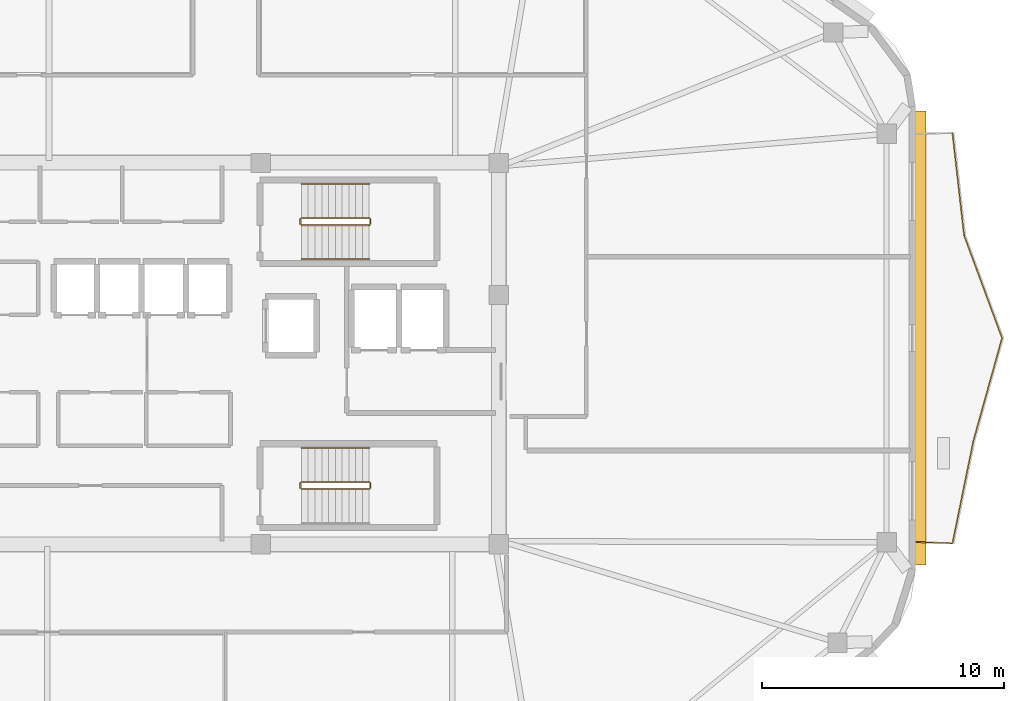
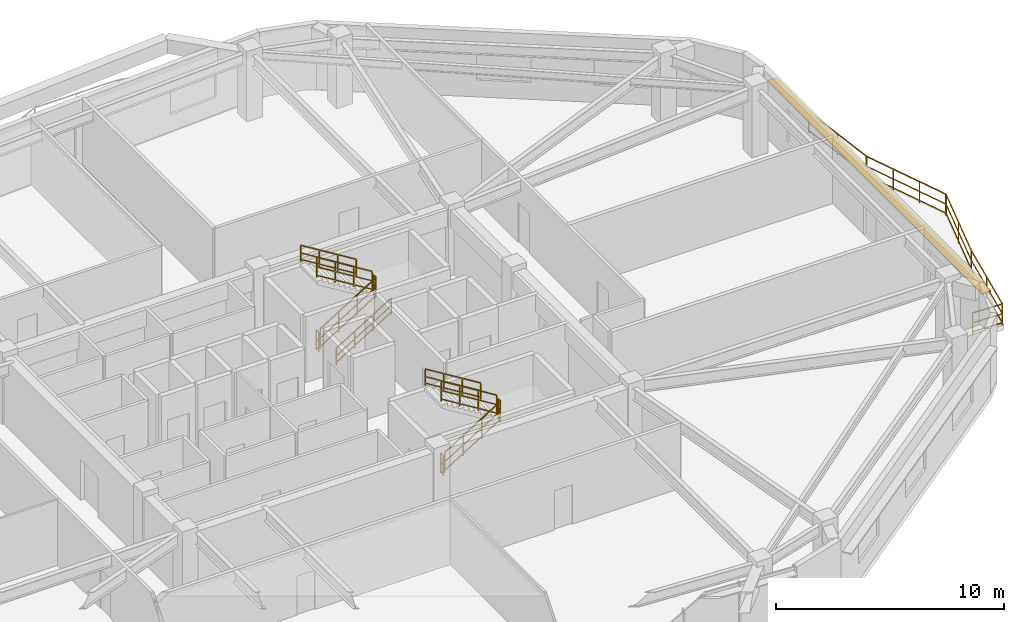
# One storey, part 11 of 12: 16 railings, 1 shading device.
"""IFC4 building model written with IfcOpenShell, lengths in metres."""

from ifc_helpers import new_model, si_unit, direction, frame, origin, origin_2d, place, context, subcontext, project, spatial, rectangle, extrude, material, layer, layer_set, type_object, element, save


model = new_model("IFC4")

# Units and contexts
model_context = context("Model", 3, precision=1e-05, world=origin(), true_north=direction((0.0, 1.0)))
body_context = subcontext(model_context, "Body", "Model", "MODEL_VIEW")
ifc_project = project(units=[si_unit("LENGTHUNIT", "METRE"), si_unit("AREAUNIT", "SQUARE_METRE"), si_unit("VOLUMEUNIT", "CUBIC_METRE"), si_unit("PLANEANGLEUNIT", "RADIAN"), si_unit("MASSUNIT", "GRAM", prefix="KILO")], contexts=[model_context])

# Site, building, storey
site_placement = place(None, origin())
site = spatial("IfcSite", under=ifc_project, at=site_placement, CompositionType="ELEMENT")
building_placement = place(site_placement, origin())
building = spatial("IfcBuilding", under=site, at=building_placement, Name="Zulverin Broadcast Headquarters", CompositionType="ELEMENT")
storey_placement = place(building_placement, frame((0.0, 0.0, 232.60009765625)))
storey = spatial("IfcBuildingStorey", under=building, at=storey_placement, Name="L59", CompositionType="ELEMENT", Elevation=232.60009765625)

# Railings
ifc_material_1 = material(Name="Brushed stainless steel & laminated glass balustrade", Category="steel")
railing_type_1 = type_object("IfcRailingType", Name="RL-GUARD-1150", PredefinedType="GUARDRAIL", material=ifc_material_1)
railing_1_placement = place(storey_placement, frame((65.5400390625, 17.417724609375, 0.0)))
element("IfcRailing", 1, at=railing_1_placement, inside=storey, type_object=railing_type_1, Name="L59 Vertical-Forest Balcony Guardrail BAL_E Segment 01", PredefinedType="GUARDRAIL", context=body_context, shape_type="SweptSolid", body=[
    extrude(rectangle(XDim=0.048095703125, YDim=0.048095703125, at=origin_2d()), frame((0.0, 0.0, 1.1259765625), z_axis=(0.99918088253, -0.040466825742, 0.0), x_axis=(0.040466825742, 0.99918088253, 0.0)), (0.0, 0.0, 1.0), 1.466064453125),
    extrude(rectangle(XDim=0.0419921875, YDim=0.0419921875, at=origin_2d()), frame((0.0, 0.0, 0.597900390625), z_axis=(0.99918088253, -0.040466825742, 0.0), x_axis=(0.040466825742, 0.99918088253, 0.0)), (0.0, 0.0, 1.0), 1.466064453125),
    extrude(rectangle(XDim=0.0419921875, YDim=0.0419921875, at=origin_2d()), frame((0.0, 0.0, 0.1201171875), z_axis=(0.99918088253, -0.040466825742, 0.0), x_axis=(0.040466825742, 0.99918088253, 0.0)), (0.0, 0.0, 1.0), 1.466064453125),
    extrude(rectangle(XDim=0.0419921875, YDim=0.0419921875, at=origin_2d()), origin(), (0.0, 0.0, 1.0), 1.101806640625),
    extrude(rectangle(XDim=0.0419921875, YDim=0.0419921875, at=origin_2d()), frame((1.46484375, -0.059326171875, 0.0)), (0.0, 0.0, 1.0), 1.101806640625),
])
railing_2_placement = place(storey_placement, frame((67.02294921875, 17.372314453125, 0.0)))
element("IfcRailing", 2, at=railing_2_placement, inside=storey, type_object=railing_type_1, Name="L59 Vertical-Forest Balcony Guardrail BAL_E Segment 02", PredefinedType="GUARDRAIL", context=body_context, shape_type="SweptSolid", body=[
    extrude(rectangle(XDim=0.048095703125, YDim=0.048095703125, at=origin_2d()), frame((0.0, 0.0, 1.1259765625), z_axis=(0.20037270255, 0.979719745679, 0.0), x_axis=(-0.979719745679, 0.20037270255, 0.0)), (0.0, 0.0, 1.0), 4.2998046875),
    extrude(rectangle(XDim=0.0419921875, YDim=0.0419921875, at=origin_2d()), frame((0.0, 0.0, 0.597900390625), z_axis=(0.20037270255, 0.979719745679, 0.0), x_axis=(-0.979719745679, 0.20037270255, 0.0)), (0.0, 0.0, 1.0), 4.2998046875),
    extrude(rectangle(XDim=0.0419921875, YDim=0.0419921875, at=origin_2d()), frame((0.0, 0.0, 0.1201171875), z_axis=(0.20037270255, 0.979719745679, 0.0), x_axis=(-0.979719745679, 0.20037270255, 0.0)), (0.0, 0.0, 1.0), 4.2998046875),
    extrude(rectangle(XDim=0.0419921875, YDim=0.0419921875, at=origin_2d()), origin(), (0.0, 0.0, 1.0), 1.101806640625),
    extrude(rectangle(XDim=0.0419921875, YDim=0.0419921875, at=origin_2d()), frame((0.4306640625, 2.1064453125, 0.0)), (0.0, 0.0, 1.0), 1.101806640625),
    extrude(rectangle(XDim=0.0419921875, YDim=0.0419921875, at=origin_2d()), frame((0.861572265625, 4.212646484375, 0.0)), (0.0, 0.0, 1.0), 1.101806640625),
])
railing_3_placement = place(storey_placement, frame((67.8916015625, 21.614013671875, 0.0)))
element("IfcRailing", 3, at=railing_3_placement, inside=storey, type_object=railing_type_1, Name="L59 Vertical-Forest Balcony Guardrail BAL_E Segment 03", PredefinedType="GUARDRAIL", context=body_context, shape_type="SweptSolid", body=[
    extrude(rectangle(XDim=0.048095703125, YDim=0.048095703125, at=origin_2d()), frame((0.0, 0.0, 1.1259765625), z_axis=(0.268478615717, 0.963285644501, 0.0), x_axis=(-0.963285644501, 0.268478615717, 0.0)), (0.0, 0.0, 1.0), 4.3740234375),
    extrude(rectangle(XDim=0.0419921875, YDim=0.0419921875, at=origin_2d()), frame((0.0, 0.0, 0.597900390625), z_axis=(0.268478615717, 0.963285644501, 0.0), x_axis=(-0.963285644501, 0.268478615717, 0.0)), (0.0, 0.0, 1.0), 4.3740234375),
    extrude(rectangle(XDim=0.0419921875, YDim=0.0419921875, at=origin_2d()), frame((0.0, 0.0, 0.1201171875), z_axis=(0.268478615717, 0.963285644501, 0.0), x_axis=(-0.963285644501, 0.268478615717, 0.0)), (0.0, 0.0, 1.0), 4.3740234375),
    extrude(rectangle(XDim=0.0419921875, YDim=0.0419921875, at=origin_2d()), origin(), (0.0, 0.0, 1.0), 1.101806640625),
    extrude(rectangle(XDim=0.0419921875, YDim=0.0419921875, at=origin_2d()), frame((0.587158203125, 2.106689453125, 0.0)), (0.0, 0.0, 1.0), 1.101806640625),
    extrude(rectangle(XDim=0.0419921875, YDim=0.0419921875, at=origin_2d()), frame((1.17431640625, 4.21337890625, 0.0)), (0.0, 0.0, 1.0), 1.101806640625),
])
railing_4_placement = place(storey_placement, frame((69.064697265625, 25.855712890625, 0.0)))
element("IfcRailing", 4, at=railing_4_placement, inside=storey, type_object=railing_type_1, Name="L59 Vertical-Forest Balcony Guardrail BAL_E Segment 04", PredefinedType="GUARDRAIL", context=body_context, shape_type="SweptSolid", body=[
    extrude(rectangle(XDim=0.048095703125, YDim=0.048095703125, at=origin_2d()), frame((0.0, 0.0, 1.1259765625), z_axis=(-0.346808122026, 0.937936099368, 0.0), x_axis=(-0.937936099368, -0.346808122026, 0.0)), (0.0, 0.0, 1.0), 4.49267578125),
    extrude(rectangle(XDim=0.0419921875, YDim=0.0419921875, at=origin_2d()), frame((0.0, 0.0, 0.597900390625), z_axis=(-0.346808122026, 0.937936099368, 0.0), x_axis=(-0.937936099368, -0.346808122026, 0.0)), (0.0, 0.0, 1.0), 4.49267578125),
    extrude(rectangle(XDim=0.0419921875, YDim=0.0419921875, at=origin_2d()), frame((0.0, 0.0, 0.1201171875), z_axis=(-0.346808122026, 0.937936099368, 0.0), x_axis=(-0.937936099368, -0.346808122026, 0.0)), (0.0, 0.0, 1.0), 4.49267578125),
    extrude(rectangle(XDim=0.0419921875, YDim=0.0419921875, at=origin_2d()), origin(), (0.0, 0.0, 1.0), 1.101806640625),
    extrude(rectangle(XDim=0.0419921875, YDim=0.0419921875, at=origin_2d()), frame((-0.519287109375, 1.404541015625, 0.0)), (0.0, 0.0, 1.0), 1.101806640625),
    extrude(rectangle(XDim=0.0419921875, YDim=0.0419921875, at=origin_2d()), frame((-1.038818359375, 2.809326171875, 0.0)), (0.0, 0.0, 1.0), 1.101806640625),
    extrude(rectangle(XDim=0.0419921875, YDim=0.0419921875, at=origin_2d()), frame((-1.55810546875, 4.2138671875, 0.0)), (0.0, 0.0, 1.0), 1.101806640625),
])
railing_5_placement = place(storey_placement, frame((67.49951171875, 30.0986328125, 0.0)))
element("IfcRailing", 5, at=railing_5_placement, inside=storey, type_object=railing_type_1, Name="L59 Vertical-Forest Balcony Guardrail BAL_E Segment 05", PredefinedType="GUARDRAIL", context=body_context, shape_type="SweptSolid", body=[
    extrude(rectangle(XDim=0.048095703125, YDim=0.048095703125, at=origin_2d()), frame((0.0, 0.0, 1.1259765625), z_axis=(-0.112706808109, 0.993628288348, 0.0), x_axis=(-0.993628288348, -0.112706808109, 0.0)), (0.0, 0.0, 1.0), 4.2392578125),
    extrude(rectangle(XDim=0.0419921875, YDim=0.0419921875, at=origin_2d()), frame((0.0, 0.0, 0.597900390625), z_axis=(-0.112706808109, 0.993628288348, 0.0), x_axis=(-0.993628288348, -0.112706808109, 0.0)), (0.0, 0.0, 1.0), 4.2392578125),
    extrude(rectangle(XDim=0.0419921875, YDim=0.0419921875, at=origin_2d()), frame((0.0, 0.0, 0.1201171875), z_axis=(-0.112706808109, 0.993628288348, 0.0), x_axis=(-0.993628288348, -0.112706808109, 0.0)), (0.0, 0.0, 1.0), 4.2392578125),
    extrude(rectangle(XDim=0.0419921875, YDim=0.0419921875, at=origin_2d()), origin(), (0.0, 0.0, 1.0), 1.101806640625),
    extrude(rectangle(XDim=0.0419921875, YDim=0.0419921875, at=origin_2d()), frame((-0.23876953125, 2.10595703125, 0.0)), (0.0, 0.0, 1.0), 1.101806640625),
    extrude(rectangle(XDim=0.0419921875, YDim=0.0419921875, at=origin_2d()), frame((-0.477783203125, 4.212158203125, 0.0)), (0.0, 0.0, 1.0), 1.101806640625),
])
ifc_material_2 = material(Name="Painted galvanized steel tubular guardrail S355JR", Category="steel")
railing_type_2 = type_object("IfcRailingType", Name="RL-ST-GUARD", PredefinedType="GUARDRAIL", material=ifc_material_2)
railing_6_placement = place(storey_placement, frame((40.1298828125, 30.5, 0.172607421875)))
element("IfcRailing", 6, at=railing_6_placement, inside=storey, type_object=railing_type_2, Name="L59 ST-1 stair guard 1", PredefinedType="GUARDRAIL", context=body_context, shape_type="SweptSolid", body=[
    extrude(rectangle(XDim=0.048095703125, YDim=0.048095703125, at=origin_2d()), frame((0.0, 0.0, 1.076171875), z_axis=(0.851089632645, 0.0, 0.525020415988), x_axis=(0.0, 1.0, 0.0)), (0.0, 0.0, 1.0), 3.2900390625),
    extrude(rectangle(XDim=0.0419921875, YDim=0.0419921875, at=origin_2d()), frame((0.0, 0.0, 0.572021484375), z_axis=(0.851089632645, 0.0, 0.525020415988), x_axis=(0.0, 1.0, 0.0)), (0.0, 0.0, 1.0), 3.2900390625),
    extrude(rectangle(XDim=0.0419921875, YDim=0.0419921875, at=origin_2d()), frame((0.0, 0.0, 0.1201171875), z_axis=(0.851089632645, 0.0, 0.525020415988), x_axis=(0.0, 1.0, 0.0)), (0.0, 0.0, 1.0), 3.2900390625),
    extrude(rectangle(XDim=0.0419921875, YDim=0.0419921875, at=origin_2d()), origin(), (0.0, 0.0, 1.0), 1.052001953125),
    extrude(rectangle(XDim=0.0419921875, YDim=0.0419921875, at=origin_2d()), frame((0.933349609375, 0.0, 0.57568359375)), (0.0, 0.0, 1.0), 1.052001953125),
    extrude(rectangle(XDim=0.0419921875, YDim=0.0419921875, at=origin_2d()), frame((1.86669921875, 0.0, 1.151611328125)), (0.0, 0.0, 1.0), 1.052001953125),
    extrude(rectangle(XDim=0.0419921875, YDim=0.0419921875, at=origin_2d()), frame((2.800048828125, 0.0, 1.727294921875)), (0.0, 0.0, 1.0), 1.052001953125),
])
railing_7_placement = place(storey_placement, frame((42.97998046875, 30.550048828125, 1.89990234375)))
element("IfcRailing", 7, at=railing_7_placement, inside=storey, type_object=railing_type_2, Name="L59 ST-1 stair guard 2", PredefinedType="GUARDRAIL", context=body_context, shape_type="SweptSolid", body=[
    extrude(rectangle(XDim=0.048095703125, YDim=0.048095703125, at=origin_2d()), frame((0.0, 0.0, 1.076171875), z_axis=(0.0, 1.0, 0.0), x_axis=(-1.0, 0.0, 0.0)), (0.0, 0.0, 1.0), 0.199951171875),
    extrude(rectangle(XDim=0.0419921875, YDim=0.0419921875, at=origin_2d()), frame((0.0, 0.0, 0.572021484375), z_axis=(0.0, 1.0, 0.0), x_axis=(-1.0, 0.0, 0.0)), (0.0, 0.0, 1.0), 0.199951171875),
    extrude(rectangle(XDim=0.0419921875, YDim=0.0419921875, at=origin_2d()), frame((0.0, 0.0, 0.1201171875), z_axis=(0.0, 1.0, 0.0), x_axis=(-1.0, 0.0, 0.0)), (0.0, 0.0, 1.0), 0.199951171875),
    extrude(rectangle(XDim=0.0419921875, YDim=0.0419921875, at=origin_2d()), origin(), (0.0, 0.0, 1.0), 1.052001953125),
    extrude(rectangle(XDim=0.0419921875, YDim=0.0419921875, at=origin_2d()), frame((0.0, 0.199951171875, 0.0)), (0.0, 0.0, 1.0), 1.052001953125),
])
railing_8_placement = place(storey_placement, frame((42.929931640625, 30.800048828125, 2.072509765625)))
element("IfcRailing", 8, at=railing_8_placement, inside=storey, type_object=railing_type_2, Name="L59 ST-1 stair guard 3", PredefinedType="GUARDRAIL", context=body_context, shape_type="SweptSolid", body=[
    extrude(rectangle(XDim=0.048095703125, YDim=0.048095703125, at=origin_2d()), frame((0.0, 0.0, 1.076171875), z_axis=(-0.851089632645, 0.0, 0.525020415988), x_axis=(0.0, -1.0, 0.0)), (0.0, 0.0, 1.0), 3.2900390625),
    extrude(rectangle(XDim=0.0419921875, YDim=0.0419921875, at=origin_2d()), frame((0.0, 0.0, 0.572021484375), z_axis=(-0.851089632645, 0.0, 0.525020415988), x_axis=(0.0, -1.0, 0.0)), (0.0, 0.0, 1.0), 3.2900390625),
    extrude(rectangle(XDim=0.0419921875, YDim=0.0419921875, at=origin_2d()), frame((0.0, 0.0, 0.1201171875), z_axis=(-0.851089632645, 0.0, 0.525020415988), x_axis=(0.0, -1.0, 0.0)), (0.0, 0.0, 1.0), 3.2900390625),
    extrude(rectangle(XDim=0.0419921875, YDim=0.0419921875, at=origin_2d()), origin(), (0.0, 0.0, 1.0), 1.052001953125),
    extrude(rectangle(XDim=0.0419921875, YDim=0.0419921875, at=origin_2d()), frame((-0.933349609375, 0.0, 0.57568359375)), (0.0, 0.0, 1.0), 1.052001953125),
    extrude(rectangle(XDim=0.0419921875, YDim=0.0419921875, at=origin_2d()), frame((-1.86669921875, 0.0, 1.151611328125)), (0.0, 0.0, 1.0), 1.052001953125),
    extrude(rectangle(XDim=0.0419921875, YDim=0.0419921875, at=origin_2d()), frame((-2.800048828125, 0.0, 1.727294921875)), (0.0, 0.0, 1.0), 1.052001953125),
])
railing_9_placement = place(storey_placement, frame((40.080078125, 30.550048828125, 0.0)))
element("IfcRailing", 9, at=railing_9_placement, inside=storey, type_object=railing_type_2, Name="L59 ST-1 stair guard 4", PredefinedType="GUARDRAIL", context=body_context, shape_type="SweptSolid", body=[
    extrude(rectangle(XDim=0.048095703125, YDim=0.048095703125, at=origin_2d()), frame((0.0, 0.0, 1.076171875), z_axis=(0.0, 1.0, 0.0), x_axis=(-1.0, 0.0, 0.0)), (0.0, 0.0, 1.0), 0.199951171875),
    extrude(rectangle(XDim=0.0419921875, YDim=0.0419921875, at=origin_2d()), frame((0.0, 0.0, 0.572021484375), z_axis=(0.0, 1.0, 0.0), x_axis=(-1.0, 0.0, 0.0)), (0.0, 0.0, 1.0), 0.199951171875),
    extrude(rectangle(XDim=0.0419921875, YDim=0.0419921875, at=origin_2d()), frame((0.0, 0.0, 0.1201171875), z_axis=(0.0, 1.0, 0.0), x_axis=(-1.0, 0.0, 0.0)), (0.0, 0.0, 1.0), 0.199951171875),
    extrude(rectangle(XDim=0.0419921875, YDim=0.0419921875, at=origin_2d()), origin(), (0.0, 0.0, 1.0), 1.052001953125),
    extrude(rectangle(XDim=0.0419921875, YDim=0.0419921875, at=origin_2d()), frame((0.0, 0.199951171875, 0.0)), (0.0, 0.0, 1.0), 1.052001953125),
])
railing_10_placement = place(storey_placement, frame((40.1298828125, 19.60009765625, 0.172607421875)))
element("IfcRailing", 10, at=railing_10_placement, inside=storey, type_object=railing_type_2, Name="L59 ST-2 stair guard 1", PredefinedType="GUARDRAIL", context=body_context, shape_type="SweptSolid", body=[
    extrude(rectangle(XDim=0.048095703125, YDim=0.048095703125, at=origin_2d()), frame((0.0, 0.0, 1.076171875), z_axis=(0.851089632645, 0.0, 0.525020415988), x_axis=(0.0, 1.0, 0.0)), (0.0, 0.0, 1.0), 3.2900390625),
    extrude(rectangle(XDim=0.0419921875, YDim=0.0419921875, at=origin_2d()), frame((0.0, 0.0, 0.572021484375), z_axis=(0.851089632645, 0.0, 0.525020415988), x_axis=(0.0, 1.0, 0.0)), (0.0, 0.0, 1.0), 3.2900390625),
    extrude(rectangle(XDim=0.0419921875, YDim=0.0419921875, at=origin_2d()), frame((0.0, 0.0, 0.1201171875), z_axis=(0.851089632645, 0.0, 0.525020415988), x_axis=(0.0, 1.0, 0.0)), (0.0, 0.0, 1.0), 3.2900390625),
    extrude(rectangle(XDim=0.0419921875, YDim=0.0419921875, at=origin_2d()), origin(), (0.0, 0.0, 1.0), 1.052001953125),
    extrude(rectangle(XDim=0.0419921875, YDim=0.0419921875, at=origin_2d()), frame((0.933349609375, 0.0, 0.57568359375)), (0.0, 0.0, 1.0), 1.052001953125),
    extrude(rectangle(XDim=0.0419921875, YDim=0.0419921875, at=origin_2d()), frame((1.86669921875, 0.0, 1.151611328125)), (0.0, 0.0, 1.0), 1.052001953125),
    extrude(rectangle(XDim=0.0419921875, YDim=0.0419921875, at=origin_2d()), frame((2.800048828125, 0.0, 1.727294921875)), (0.0, 0.0, 1.0), 1.052001953125),
])
railing_11_placement = place(storey_placement, frame((42.97998046875, 19.64990234375, 1.89990234375)))
element("IfcRailing", 11, at=railing_11_placement, inside=storey, type_object=railing_type_2, Name="L59 ST-2 stair guard 2", PredefinedType="GUARDRAIL", context=body_context, shape_type="SweptSolid", body=[
    extrude(rectangle(XDim=0.048095703125, YDim=0.048095703125, at=origin_2d()), frame((0.0, 0.0, 1.076171875), z_axis=(0.0, 1.0, 0.0), x_axis=(-1.0, 0.0, 0.0)), (0.0, 0.0, 1.0), 0.2001953125),
    extrude(rectangle(XDim=0.0419921875, YDim=0.0419921875, at=origin_2d()), frame((0.0, 0.0, 0.572021484375), z_axis=(0.0, 1.0, 0.0), x_axis=(-1.0, 0.0, 0.0)), (0.0, 0.0, 1.0), 0.2001953125),
    extrude(rectangle(XDim=0.0419921875, YDim=0.0419921875, at=origin_2d()), frame((0.0, 0.0, 0.1201171875), z_axis=(0.0, 1.0, 0.0), x_axis=(-1.0, 0.0, 0.0)), (0.0, 0.0, 1.0), 0.2001953125),
    extrude(rectangle(XDim=0.0419921875, YDim=0.0419921875, at=origin_2d()), origin(), (0.0, 0.0, 1.0), 1.052001953125),
    extrude(rectangle(XDim=0.0419921875, YDim=0.0419921875, at=origin_2d()), frame((0.0, 0.2001953125, 0.0)), (0.0, 0.0, 1.0), 1.052001953125),
])
railing_12_placement = place(storey_placement, frame((42.929931640625, 19.89990234375, 2.072509765625)))
element("IfcRailing", 12, at=railing_12_placement, inside=storey, type_object=railing_type_2, Name="L59 ST-2 stair guard 3", PredefinedType="GUARDRAIL", context=body_context, shape_type="SweptSolid", body=[
    extrude(rectangle(XDim=0.048095703125, YDim=0.048095703125, at=origin_2d()), frame((0.0, 0.0, 1.076171875), z_axis=(-0.851089632645, 0.0, 0.525020415988), x_axis=(0.0, -1.0, 0.0)), (0.0, 0.0, 1.0), 3.2900390625),
    extrude(rectangle(XDim=0.0419921875, YDim=0.0419921875, at=origin_2d()), frame((0.0, 0.0, 0.572021484375), z_axis=(-0.851089632645, 0.0, 0.525020415988), x_axis=(0.0, -1.0, 0.0)), (0.0, 0.0, 1.0), 3.2900390625),
    extrude(rectangle(XDim=0.0419921875, YDim=0.0419921875, at=origin_2d()), frame((0.0, 0.0, 0.1201171875), z_axis=(-0.851089632645, 0.0, 0.525020415988), x_axis=(0.0, -1.0, 0.0)), (0.0, 0.0, 1.0), 3.2900390625),
    extrude(rectangle(XDim=0.0419921875, YDim=0.0419921875, at=origin_2d()), origin(), (0.0, 0.0, 1.0), 1.052001953125),
    extrude(rectangle(XDim=0.0419921875, YDim=0.0419921875, at=origin_2d()), frame((-0.933349609375, 0.0, 0.57568359375)), (0.0, 0.0, 1.0), 1.052001953125),
    extrude(rectangle(XDim=0.0419921875, YDim=0.0419921875, at=origin_2d()), frame((-1.86669921875, 0.0, 1.151611328125)), (0.0, 0.0, 1.0), 1.052001953125),
    extrude(rectangle(XDim=0.0419921875, YDim=0.0419921875, at=origin_2d()), frame((-2.800048828125, 0.0, 1.727294921875)), (0.0, 0.0, 1.0), 1.052001953125),
])
railing_13_placement = place(storey_placement, frame((40.080078125, 19.64990234375, 0.0)))
element("IfcRailing", 13, at=railing_13_placement, inside=storey, type_object=railing_type_2, Name="L59 ST-2 stair guard 4", PredefinedType="GUARDRAIL", context=body_context, shape_type="SweptSolid", body=[
    extrude(rectangle(XDim=0.048095703125, YDim=0.048095703125, at=origin_2d()), frame((0.0, 0.0, 1.076171875), z_axis=(0.0, 1.0, 0.0), x_axis=(-1.0, 0.0, 0.0)), (0.0, 0.0, 1.0), 0.2001953125),
    extrude(rectangle(XDim=0.0419921875, YDim=0.0419921875, at=origin_2d()), frame((0.0, 0.0, 0.572021484375), z_axis=(0.0, 1.0, 0.0), x_axis=(-1.0, 0.0, 0.0)), (0.0, 0.0, 1.0), 0.2001953125),
    extrude(rectangle(XDim=0.0419921875, YDim=0.0419921875, at=origin_2d()), frame((0.0, 0.0, 0.1201171875), z_axis=(0.0, 1.0, 0.0), x_axis=(-1.0, 0.0, 0.0)), (0.0, 0.0, 1.0), 0.2001953125),
    extrude(rectangle(XDim=0.0419921875, YDim=0.0419921875, at=origin_2d()), origin(), (0.0, 0.0, 1.0), 1.052001953125),
    extrude(rectangle(XDim=0.0419921875, YDim=0.0419921875, at=origin_2d()), frame((0.0, 0.2001953125, 0.0)), (0.0, 0.0, 1.0), 1.052001953125),
])
ifc_material_3 = material(Name="Brushed stainless steel 48 mm handrail", Category="steel")
railing_type_3 = type_object("IfcRailingType", Name="RL-ST-HAND", PredefinedType="HANDRAIL", material=ifc_material_3)
railing_14_placement = place(storey_placement, frame((40.1298828125, 29.10009765625, 0.172607421875)))
element("IfcRailing", 14, at=railing_14_placement, inside=storey, type_object=railing_type_3, Name="L59 ST-1 stair handrail 1", PredefinedType="HANDRAIL", context=body_context, shape_type="SweptSolid", body=[
    extrude(rectangle(XDim=0.048095703125, YDim=0.048095703125, at=origin_2d()), frame((0.0, 0.0, 0.8759765625), z_axis=(0.851089632645, 0.0, 0.525020415988), x_axis=(0.0, 1.0, 0.0)), (0.0, 0.0, 1.0), 3.2900390625),
    extrude(rectangle(XDim=0.0419921875, YDim=0.0419921875, at=origin_2d()), frame((0.0, 0.0, 0.468017578125), z_axis=(0.851089632645, 0.0, 0.525020415988), x_axis=(0.0, 1.0, 0.0)), (0.0, 0.0, 1.0), 3.2900390625),
    extrude(rectangle(XDim=0.0419921875, YDim=0.0419921875, at=origin_2d()), frame((0.0, 0.0, 0.1201171875), z_axis=(0.851089632645, 0.0, 0.525020415988), x_axis=(0.0, 1.0, 0.0)), (0.0, 0.0, 1.0), 3.2900390625),
    extrude(rectangle(XDim=0.0419921875, YDim=0.0419921875, at=origin_2d()), origin(), (0.0, 0.0, 1.0), 0.851806640625),
    extrude(rectangle(XDim=0.0419921875, YDim=0.0419921875, at=origin_2d()), frame((0.933349609375, 0.0, 0.57568359375)), (0.0, 0.0, 1.0), 0.851806640625),
    extrude(rectangle(XDim=0.0419921875, YDim=0.0419921875, at=origin_2d()), frame((1.86669921875, 0.0, 1.151611328125)), (0.0, 0.0, 1.0), 0.851806640625),
    extrude(rectangle(XDim=0.0419921875, YDim=0.0419921875, at=origin_2d()), frame((2.800048828125, 0.0, 1.727294921875)), (0.0, 0.0, 1.0), 0.851806640625),
])
for number, where, name in (
    (15, (42.929931640625, 32.199951171875, 2.072509765625), "L59 ST-1 stair handrail 2"),
    (16, (42.929931640625, 21.300048828125, 2.072509765625), "L59 ST-2 stair handrail 2"),
):
    element("IfcRailing", number, at=place(storey_placement, frame(where)), inside=storey, type_object=railing_type_3, Name=name, PredefinedType="HANDRAIL", context=body_context, shape_type="SweptSolid", body=[
        extrude(rectangle(XDim=0.048095703125, YDim=0.048095703125, at=origin_2d()), frame((0.0, 0.0, 0.8759765625), z_axis=(-0.851089632645, 0.0, 0.525020415988), x_axis=(0.0, -1.0, 0.0)), (0.0, 0.0, 1.0), 3.2900390625),
        extrude(rectangle(XDim=0.0419921875, YDim=0.0419921875, at=origin_2d()), frame((0.0, 0.0, 0.468017578125), z_axis=(-0.851089632645, 0.0, 0.525020415988), x_axis=(0.0, -1.0, 0.0)), (0.0, 0.0, 1.0), 3.2900390625),
        extrude(rectangle(XDim=0.0419921875, YDim=0.0419921875, at=origin_2d()), frame((0.0, 0.0, 0.1201171875), z_axis=(-0.851089632645, 0.0, 0.525020415988), x_axis=(0.0, -1.0, 0.0)), (0.0, 0.0, 1.0), 3.2900390625),
        extrude(rectangle(XDim=0.0419921875, YDim=0.0419921875, at=origin_2d()), origin(), (0.0, 0.0, 1.0), 0.851806640625),
        extrude(rectangle(XDim=0.0419921875, YDim=0.0419921875, at=origin_2d()), frame((-0.933349609375, 0.0, 0.57568359375)), (0.0, 0.0, 1.0), 0.851806640625),
        extrude(rectangle(XDim=0.0419921875, YDim=0.0419921875, at=origin_2d()), frame((-1.86669921875, 0.0, 1.151611328125)), (0.0, 0.0, 1.0), 0.851806640625),
        extrude(rectangle(XDim=0.0419921875, YDim=0.0419921875, at=origin_2d()), frame((-2.800048828125, 0.0, 1.727294921875)), (0.0, 0.0, 1.0), 0.851806640625),
    ])

# Shading device
ifc_material_4 = material(Name="Anodized pale-metal aluminium sunshade", Category="aluminium")
ifc_layer = layer(ifc_material_4, 0.06005859375, Name="Anodized pale-metal aluminium sunshade", Category="aluminium")
ifc_layer_set = layer_set([ifc_layer], Name="Anodized pale-metal aluminium sunshade")
shading_device_type = type_object("IfcShadingDeviceType", Name="SS-01_PALE_METAL_ALUMINIUM_SUNSHADE", PredefinedType="USERDEFINED", material=ifc_layer_set)
shading_device_placement = place(storey_placement, frame((65.699951171875, 25.841796875, 2.7099609375), z_axis=(0.0, 0.0, 1.0), x_axis=(0.0, 1.0, 0.0)))
element("IfcShadingDevice", 17, at=shading_device_placement, inside=storey, type_object=shading_device_type, Name="L59 Horizontal Pale-Metal Sunshade Band 3", ObjectType="SUNSHADE", PredefinedType="USERDEFINED", context=body_context, shape_type="SweptSolid", body=[
    extrude(rectangle(XDim=18.76806640625, YDim=0.449951171875, at=origin_2d()), origin(), (0.0, 0.0, 1.0), 0.06005859375),
])

save(model, "model.ifc")
